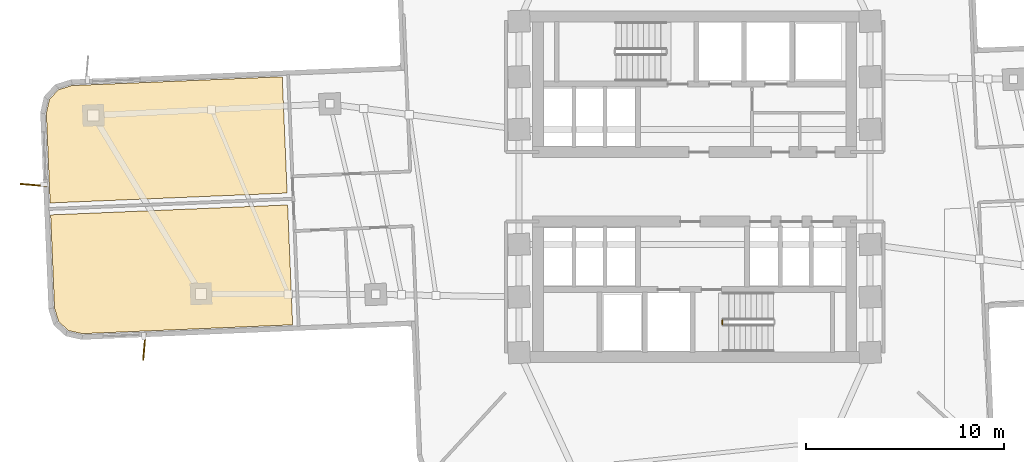
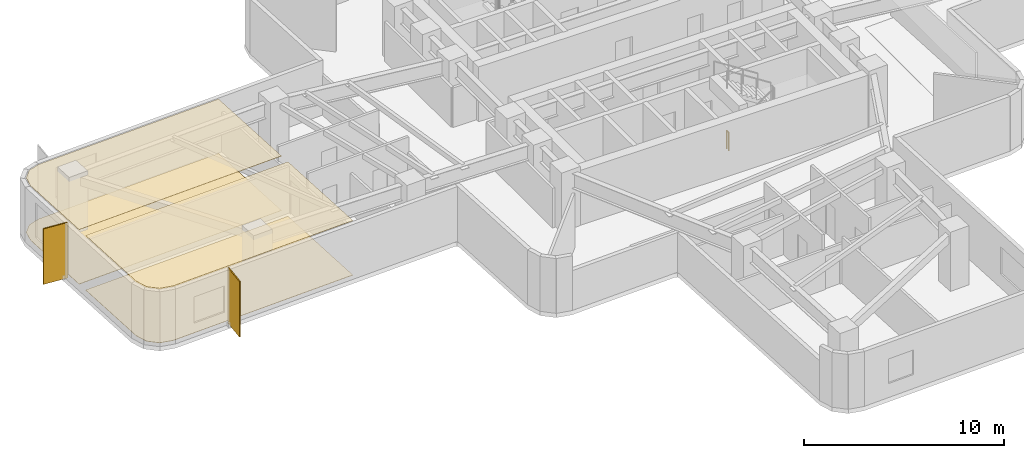
# One storey, part 7 of 10: 4 coverings, 2 shading devices, 1 railing.
"""IFC4 building model written with IfcOpenShell, lengths in metres."""

from ifc_helpers import new_model, si_unit, direction, frame, origin, origin_2d, place, context, subcontext, project, spatial, polyline, rectangle, circle, outline, extrude, material, layer, layer_set, type_object, element, save


model = new_model("IFC4")

# Units and contexts
model_context = context("Model", 3, precision=1e-05, world=origin(), true_north=direction((0.0, 1.0)))
body_context = subcontext(model_context, "Body", "Model", "MODEL_VIEW")
ifc_project = project(units=[si_unit("LENGTHUNIT", "METRE"), si_unit("AREAUNIT", "SQUARE_METRE"), si_unit("VOLUMEUNIT", "CUBIC_METRE"), si_unit("PLANEANGLEUNIT", "RADIAN"), si_unit("MASSUNIT", "GRAM", prefix="KILO")], contexts=[model_context])

# Site, building, storey
site_placement = place(None, origin())
site = spatial("IfcSite", under=ifc_project, at=site_placement, CompositionType="ELEMENT")
building_placement = place(site_placement, origin())
building = spatial("IfcBuilding", under=site, at=building_placement, Name="Solmarez Civic Tower", CompositionType="ELEMENT")
storey_placement = place(building_placement, frame((0.0, 0.0, 42.47998046875)))
storey = spatial("IfcBuildingStorey", under=building, at=storey_placement, Name="L10", CompositionType="ELEMENT", Elevation=42.47998046875)

# Coverings
ifc_material_1 = material(Name="Perforated Mineral-Fibre Acoustic Ceiling")
ifc_layer_1 = layer(ifc_material_1, 0.02490234375)
ifc_layer_set_1 = layer_set([ifc_layer_1], Name="Perforated Mineral-Fibre Acoustic Ceiling")
covering_type_1 = type_object("IfcCoveringType", Name="COV-CEIL-ACOUSTIC", PredefinedType="CEILING", material=ifc_layer_set_1)
covering_1_placement = place(storey_placement, frame((0.0, 0.0, 3.31494140625)))
element("IfcCovering", 1, at=covering_1_placement, inside=storey, type_object=covering_type_1, Name="L10 Suspended Acoustic Ceiling 1", PredefinedType="CEILING", context=body_context, shape_type="SweptSolid", body=[
    extrude(outline(polyline([(-32.468994140625, -1.410888671875), (-32.27197265625, -6.116943359375), (-32.06103515625, -6.79296875), (-31.569091796875, -7.2451171875), (-30.876953125, -7.39990234375), (-20.26708984375, -6.9541015625), (-20.52001953125, -0.909912109375), (-32.468994140625, -1.410888671875)])), origin(), (0.0, 0.0, 1.0), 0.025146484375),
])
covering_2_placement = place(storey_placement, frame((0.0, 0.0, 3.31494140625)))
element("IfcCovering", 2, at=covering_2_placement, inside=storey, type_object=covering_type_1, Name="L10 Suspended Acoustic Ceiling 2", PredefinedType="CEILING", context=body_context, shape_type="SweptSolid", body=[
    extrude(outline(polyline([(-20.791015625, 5.553955078125), (-31.402099609375, 5.10888671875), (-32.077880859375, 4.89794921875), (-32.530029296875, 4.406005859375), (-32.68408203125, 3.715087890625), (-32.493896484375, -0.81103515625), (-20.544921875, -0.31005859375), (-20.791015625, 5.553955078125)])), origin(), (0.0, 0.0, 1.0), 0.025146484375),
])
ifc_material_2 = material(Name="Polished Tropical Stone Terrazzo Flooring", Category="masonry")
ifc_layer_2 = layer(ifc_material_2, 0.02001953125)
ifc_layer_set_2 = layer_set([ifc_layer_2], Name="Polished Tropical Stone Terrazzo Flooring")
covering_type_2 = type_object("IfcCoveringType", Name="COV-FLOOR-TERRAZZO", PredefinedType="FLOORING", material=ifc_layer_set_2)
covering_3_placement = place(storey_placement, origin())
element("IfcCovering", 3, at=covering_3_placement, inside=storey, type_object=covering_type_2, Name="L10 Terrazzo Floor Finish 1", PredefinedType="FLOORING", context=body_context, shape_type="SweptSolid", body=[
    extrude(outline(polyline([(-32.468994140625, -1.410888671875), (-32.27197265625, -6.116943359375), (-32.06103515625, -6.79296875), (-31.569091796875, -7.2451171875), (-30.876953125, -7.39990234375), (-20.26708984375, -6.9541015625), (-20.52001953125, -0.909912109375), (-32.468994140625, -1.410888671875)])), origin(), (0.0, 0.0, 1.0), 0.02001953125),
])
covering_4_placement = place(storey_placement, origin())
element("IfcCovering", 4, at=covering_4_placement, inside=storey, type_object=covering_type_2, Name="L10 Terrazzo Floor Finish 2", PredefinedType="FLOORING", context=body_context, shape_type="SweptSolid", body=[
    extrude(outline(polyline([(-20.791015625, 5.553955078125), (-31.402099609375, 5.10888671875), (-32.077880859375, 4.89794921875), (-32.530029296875, 4.406005859375), (-32.68408203125, 3.715087890625), (-32.493896484375, -0.81103515625), (-20.544921875, -0.31005859375), (-20.791015625, 5.553955078125)])), origin(), (0.0, 0.0, 1.0), 0.02001953125),
])

# Shading devices
ifc_material_3 = material(Name="Bronze Anodised Aluminium EN AW-6063 T6", Category="aluminium")
ifc_layer_3 = layer(ifc_material_3, 0.06494140625)
ifc_layer_set_3 = layer_set([ifc_layer_3], Name="Bronze Anodised Aluminium EN AW-6063 T6")
shading_device_type = type_object("IfcShadingDeviceType", Name="FIN-BRONZE-Z12", PredefinedType="USERDEFINED", material=ifc_layer_set_3)
for number, where, z_axis, x_axis, name in (
    (5, (-27.74609375, -8.073974609375, -0.0400390625), (0.0, 0.0, 1.0), (-0.084130028817, -0.99645478485, 0.0), "L10 Anodised Bronze Solar Fin FIN-L10-01"),
    (6, (-33.337890625, 0.095947265625, -0.0400390625), (0.0, 0.0, 1.0), (-0.996456253045, 0.084112637387, 0.0), "L10 Anodised Bronze Solar Fin FIN-L10-02"),
):
    element("IfcShadingDevice", number, at=place(storey_placement, frame(where, z_axis=z_axis, x_axis=x_axis)), inside=storey, type_object=shading_device_type, Name=name, ObjectType="FIN", PredefinedType="USERDEFINED", context=body_context, shape_type="SweptSolid", body=[
        extrude(rectangle(XDim=1.35009765625, YDim=0.06494140625, at=origin_2d()), origin(), (0.0, 0.0, 1.0), 3.3798828125),
    ])

# Railing
ifc_material_4 = material(Name="Painted Steel Stairwell Safety Guard", Category="steel")
railing_type = type_object("IfcRailingType", Name="GUARD-STAIR-1120", PredefinedType="BALUSTRADE", material=ifc_material_4)
railing_placement = place(storey_placement, frame((1.39990234375, -6.919921875, 0.0)))
element("IfcRailing", 7, at=railing_placement, inside=storey, type_object=railing_type, Name="L10 ST-2 stair guard 4", PredefinedType="BALUSTRADE", context=body_context, shape_type="SweptSolid", body=[
    extrude(circle(Radius=0.02392578125, at=origin_2d()), frame((0.0, 0.0, 1.09619140625), z_axis=(0.0, 1.0, 0.0), x_axis=(-1.0, 0.0, 0.0)), (0.0, 0.0, 1.0), 0.199951171875),
    extrude(circle(Radius=0.02099609375, at=origin_2d()), origin(), (0.0, 0.0, 1.0), 1.072021484375),
    extrude(circle(Radius=0.02099609375, at=origin_2d()), frame((0.0, 0.199951171875, 0.0)), (0.0, 0.0, 1.0), 1.072021484375),
])

save(model, "model.ifc")
